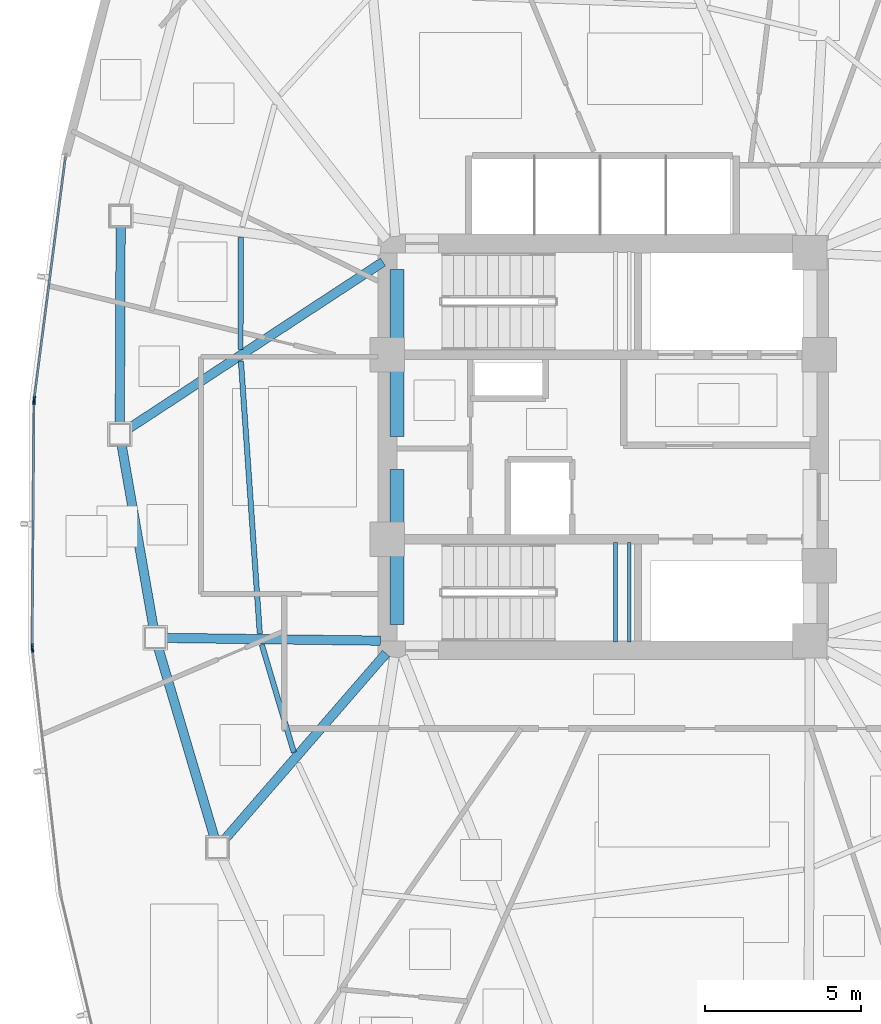
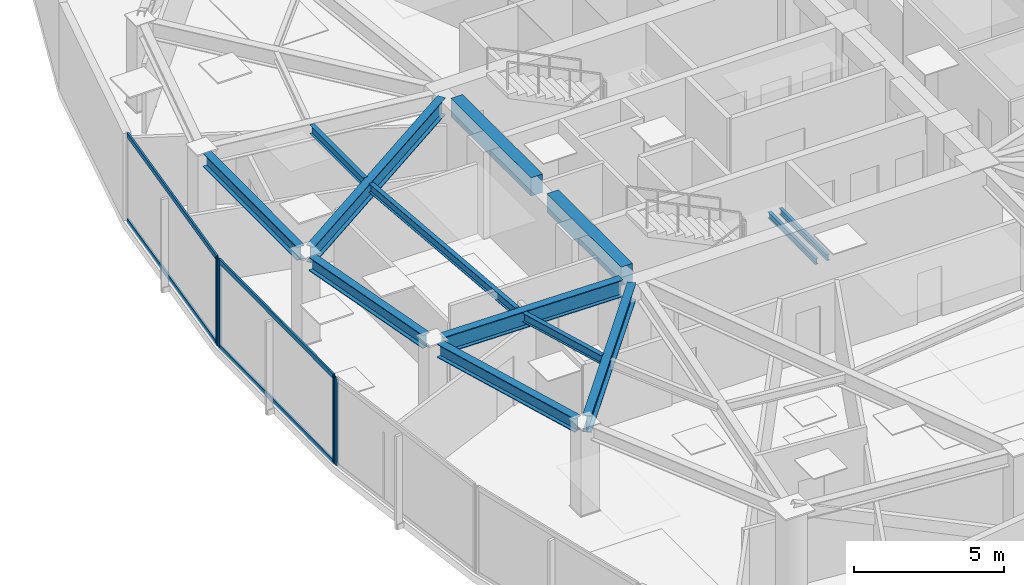
# One storey, part 4 of 17: 13 beams, 8 members, 3 elements without a shape of their own.
"""IFC4 building model written with IfcOpenShell, lengths in metres."""

import ifcopenshell
import ifcopenshell.guid

model = None  # the IFC model being written
_history = None  # IfcOwnerHistory: only IFC2X3 demands one
_inside = {}  # id of a spatial element -> (the spatial element, [elements in it])
_under = {}  # id of a project, library or spatial element -> (it, [spatial elements below it])
_declared = {}  # id of a project -> (the project, [libraries it declares])
_typed = {}  # id of a type object -> (the type object, [elements of that type])
_made_of = {}  # id of a material, layer set ... -> (it, [elements and type objects made of it])


def new_model(schema):
    """Start an empty IFC model of exactly this schema.

    Asked for "IFC4X3", IfcOpenShell would pick the latest addendum, in which some entities
    have other attributes; the version numbers below select the first issue.
    IFC2X3 requires an IfcOwnerHistory on every rooted entity: one is made here for all.
    """
    global model, _history
    if schema == "IFC4X3":
        model = ifcopenshell.file(schema_version=(4, 3, 0, 0))
    else:
        model = ifcopenshell.file(schema=schema)
    _inside.clear()
    _under.clear()
    _declared.clear()
    _typed.clear()
    _made_of.clear()
    _history = None
    if model.schema == "IFC2X3":
        org = make("IfcOrganization", Name="unknown")
        user = make(
            "IfcPersonAndOrganization",
            ThePerson=make("IfcPerson", FamilyName="unknown"),
            TheOrganization=org,
        )
        app = make(
            "IfcApplication",
            ApplicationDeveloper=org,
            Version="unknown",
            ApplicationFullName="unknown",
            ApplicationIdentifier="unknown",
        )
        _history = make(
            "IfcOwnerHistory",
            OwningUser=user,
            OwningApplication=app,
            ChangeAction="ADDED",
            CreationDate=0,
        )
    return model


def make(cls, **values):
    """One entity of the class cls with the attributes given. An attribute that is None is left unset."""
    return model.create_entity(
        cls, **{name: value for name, value in values.items() if value is not None}
    )


def rooted(cls, **values):
    """An entity with a GlobalId (a new one), such as an element, a storey or a relation."""
    return make(cls, GlobalId=ifcopenshell.guid.new(), OwnerHistory=_history, **values)


def si_unit(unit_type, name, prefix=None):
    """IfcSIUnit, for example si_unit("LENGTHUNIT", "METRE", prefix="MILLI")."""
    return make("IfcSIUnit", UnitType=unit_type, Prefix=prefix, Name=name)


def assignment(units):
    """IfcUnitAssignment: the units of a project."""
    return None if units is None else make("IfcUnitAssignment", Units=units)


def point(xyz):
    """IfcCartesianPoint."""
    return None if xyz is None else make("IfcCartesianPoint", Coordinates=xyz)


def direction(xyz):
    """IfcDirection."""
    return None if xyz is None else make("IfcDirection", DirectionRatios=xyz)


def frame(location, z_axis=None, x_axis=None):
    """IfcAxis2Placement3D, a coordinate frame: its origin and axes. An axis left out is left unset."""
    return make(
        "IfcAxis2Placement3D",
        Location=point(location),
        Axis=direction(z_axis),
        RefDirection=direction(x_axis),
    )


def frame_2d(location, x_axis=None):
    """IfcAxis2Placement2D, a coordinate frame in the plane: its origin and x axis."""
    return make(
        "IfcAxis2Placement2D", Location=point(location), RefDirection=direction(x_axis)
    )


def origin():
    """The frame at (0, 0, 0) with its axes left unset."""
    return frame((0.0, 0.0, 0.0))


def origin_2d():
    """The frame at (0, 0) in the plane with its x axis left unset."""
    return frame_2d((0.0, 0.0))


def place(relative_to, where):
    """IfcLocalPlacement: puts the frame where relative to a parent placement (None: the world)."""
    return make(
        "IfcLocalPlacement", PlacementRelTo=relative_to, RelativePlacement=where
    )


def context(
    kind, dimensions, precision=None, world=None, true_north=None, identifier=None
):
    """IfcGeometricRepresentationContext, for example the 3D "Model" context."""
    return make(
        "IfcGeometricRepresentationContext",
        ContextIdentifier=identifier,
        ContextType=kind,
        CoordinateSpaceDimension=dimensions,
        Precision=precision,
        WorldCoordinateSystem=world,
        TrueNorth=true_north,
    )


def subcontext(parent, identifier, kind, view, scale=None):
    """IfcGeometricRepresentationSubContext, for example "Body" below "Model"."""
    return make(
        "IfcGeometricRepresentationSubContext",
        ContextIdentifier=identifier,
        ContextType=kind,
        ParentContext=parent,
        TargetScale=scale,
        TargetView=view,
    )


def project(units=None, contexts=None):
    """IfcProject with its units and contexts."""
    return rooted(
        "IfcProject",
        Name="project",
        RepresentationContexts=contexts,
        UnitsInContext=assignment(units),
    )


def spatial(cls, under=None, at=None, **own):
    """A site, building, storey or space (cls), placed at a placement, below another one or the project."""
    s = rooted(cls, ObjectPlacement=at, **own)
    if under is not None:
        _under.setdefault(under.id(), (under, []))[1].append(s)
    return s


def profile(cls, at=None, kind="AREA", **sizes):
    """A parametric profile (cls). Its sizes go by their IFC names, for example OverallWidth=200.0."""
    return make(cls, ProfileType=kind, Position=at, **sizes)


def rectangle(**sizes):
    """IfcRectangleProfileDef."""
    return profile("IfcRectangleProfileDef", **sizes)


def hollow_rectangle(**sizes):
    """IfcRectangleHollowProfileDef."""
    return profile("IfcRectangleHollowProfileDef", **sizes)


def i_section(**sizes):
    """IfcIShapeProfileDef."""
    return profile("IfcIShapeProfileDef", **sizes)


def extrude(swept, where, along, depth):
    """IfcExtrudedAreaSolid: the profile swept, set in the frame where, extruded along a direction by depth."""
    return make(
        "IfcExtrudedAreaSolid",
        SweptArea=swept,
        Position=where,
        ExtrudedDirection=direction(along),
        Depth=depth,
    )


def shape(context_of_items, identifier, shape_type, items):
    """IfcShapeRepresentation: the items that make up one representation, for example the "Body"."""
    return make(
        "IfcShapeRepresentation",
        ContextOfItems=context_of_items,
        RepresentationIdentifier=identifier,
        RepresentationType=shape_type,
        Items=items,
    )


def source(mapping_origin, context_of_items, identifier, shape_type, items):
    """IfcRepresentationMap: a shape defined once, which mapped items show again and again."""
    return make(
        "IfcRepresentationMap",
        MappingOrigin=mapping_origin,
        MappedRepresentation=shape(context_of_items, identifier, shape_type, items),
    )


def transform(
    local_origin,
    x_axis=None,
    y_axis=None,
    z_axis=None,
    scale=None,
    scale2=None,
    scale3=None,
    uniform=True,
):
    """IfcCartesianTransformationOperator3D, or its non-uniform kind. x_axis, y_axis, z_axis: its Axis1, 2, 3."""
    if uniform:
        return make(
            "IfcCartesianTransformationOperator3D",
            Axis1=direction(x_axis),
            Axis2=direction(y_axis),
            LocalOrigin=point(local_origin),
            Scale=scale,
            Axis3=direction(z_axis),
        )
    return make(
        "IfcCartesianTransformationOperator3DnonUniform",
        Axis1=direction(x_axis),
        Axis2=direction(y_axis),
        LocalOrigin=point(local_origin),
        Scale=scale,
        Axis3=direction(z_axis),
        Scale2=scale2,
        Scale3=scale3,
    )


def mapped(mapping_source, mapping_target):
    """IfcMappedItem: shows the shape of a source again, moved by a transform."""
    return make(
        "IfcMappedItem", MappingSource=mapping_source, MappingTarget=mapping_target
    )


def material(Name=None, Category=None):
    """IfcMaterial."""
    return make("IfcMaterial", Name=Name, Category=Category)


def layer(
    of_material, thickness, ventilated=None, Name=None, Category=None, Priority=None
):
    """IfcMaterialLayer: one layer of a wall or slab, of a material (None: an air gap)."""
    return make(
        "IfcMaterialLayer",
        Material=of_material,
        LayerThickness=thickness,
        IsVentilated=ventilated,
        Name=Name,
        Category=Category,
        Priority=Priority,
    )


def layer_set(layers, Name=None):
    """IfcMaterialLayerSet."""
    return make("IfcMaterialLayerSet", MaterialLayers=layers, LayerSetName=Name)


def material_profile(
    of_material, cross_section, Name=None, Category=None, Priority=None
):
    """IfcMaterialProfile: a cross section and its material."""
    return make(
        "IfcMaterialProfile",
        Name=Name,
        Material=of_material,
        Profile=cross_section,
        Priority=Priority,
        Category=Category,
    )


def profile_set(profiles, Name=None, composite=None):
    """IfcMaterialProfileSet."""
    return make(
        "IfcMaterialProfileSet",
        Name=Name,
        MaterialProfiles=profiles,
        CompositeProfile=composite,
    )


def made_of(thing, what):
    """Note that an element or type object is made of a material, layer set ...; save() writes the relation."""
    if what is not None:
        _made_of.setdefault(what.id(), (what, []))[1].append(thing)
    return thing


def type_object(cls, material=None, **own):
    """A type object (cls), such as IfcWallType, which elements share."""
    return made_of(rooted(cls, **own), material)


def type_shapes(of_type, sources):
    """Give a type object the sources (RepresentationMaps) that its elements show as mapped items."""
    of_type.RepresentationMaps = sources


def element(
    cls,
    number,
    at=None,
    inside=None,
    cuts=None,
    type_object=None,
    material=None,
    context=None,
    identifier="Body",
    shape_type=None,
    held_by="IfcProductDefinitionShape",
    body=None,
    shapes=None,
    **own,
):
    """One element of the class cls, such as IfcWall. Its Tag is "e" and its number.

    at: its placement. inside: the storey or other place that contains it. cuts: it is an
    opening in that element (IfcRelVoidsElement). A single representation is given by context,
    identifier, shape_type and body (its items); several are given by shapes. held_by: the class
    of the entity that holds the representations. save() writes the other relations.
    """
    e = rooted(cls, Tag="e%d" % number, ObjectPlacement=at, **own)
    if body is not None:
        shapes = [shape(context, identifier, shape_type, body)]
    if shapes is not None:
        e.Representation = make(held_by, Representations=shapes)
    if inside is not None:
        _inside.setdefault(inside.id(), (inside, []))[1].append(e)
    if cuts is not None:
        rooted(
            "IfcRelVoidsElement", RelatingBuildingElement=cuts, RelatedOpeningElement=e
        )
    if type_object is not None:
        _typed.setdefault(type_object.id(), (type_object, []))[1].append(e)
    return made_of(e, material)


def aggregate(whole, parts):
    """IfcRelAggregates: a whole, such as a stair, and the parts it consists of."""
    return rooted("IfcRelAggregates", RelatingObject=whole, RelatedObjects=parts)


def save(model, path):
    """Write the relations noted so far, then the file.

    IfcRelAggregates (storeys below a building ...), IfcRelContainedInSpatialStructure (elements
    in a storey), IfcRelDefinesByType, IfcRelAssociatesMaterial and IfcRelDeclares: one each for
    every whole, place, type object, material and project.
    """
    for whole, parts in _under.values():
        aggregate(whole, parts)
    for where, things in _inside.values():
        rooted(
            "IfcRelContainedInSpatialStructure",
            RelatedElements=things,
            RelatingStructure=where,
        )
    for kind, things in _typed.values():
        rooted("IfcRelDefinesByType", RelatedObjects=things, RelatingType=kind)
    for what, things in _made_of.values():
        rooted("IfcRelAssociatesMaterial", RelatedObjects=things, RelatingMaterial=what)
    for by, libraries in _declared.values():
        rooted("IfcRelDeclares", RelatingContext=by, RelatedDefinitions=libraries)
    model.write(path)


model = new_model("IFC4")

# Units and contexts
model_context = context("Model", 3, precision=1e-05, world=origin(), true_north=direction((0.0, 1.0)))
body_context = subcontext(model_context, "Body", "Model", "MODEL_VIEW")
ifc_project = project(units=[si_unit("LENGTHUNIT", "METRE"), si_unit("AREAUNIT", "SQUARE_METRE"), si_unit("VOLUMEUNIT", "CUBIC_METRE"), si_unit("PLANEANGLEUNIT", "RADIAN"), si_unit("MASSUNIT", "GRAM", prefix="KILO")], contexts=[model_context])

# Site, building, storey
site_placement = place(None, origin())
site = spatial("IfcSite", under=ifc_project, at=site_placement, CompositionType="ELEMENT")
building_placement = place(site_placement, origin())
building = spatial("IfcBuilding", under=site, at=building_placement, Name="Tavelor Broadcast Tower", CompositionType="ELEMENT")
storey_placement = place(building_placement, frame((0.0, 0.0, 142.550048828125)))
storey = spatial("IfcBuildingStorey", under=building, at=storey_placement, Name="L33", CompositionType="ELEMENT", Elevation=142.550048828125)

# Beams
ifc_material_1 = material(Name="Concrete C40/50", Category="concrete")
ifc_material_profile_1 = material_profile(ifc_material_1, rectangle(XDim=0.449951171875, YDim=0.75, at=origin_2d()), Name="RC 450x750")
ifc_profile_set_1 = profile_set([ifc_material_profile_1], Name="Concrete C40/50")
beam_type_1 = type_object("IfcBeamType", Name="Basement Core Trim Beam 450x750", PredefinedType="BEAM", material=ifc_profile_set_1)
beam_1_placement = place(storey_placement, frame((43.39990234375, 45.327880859375, 3.175048828125), z_axis=(0.0, 1.0, 0.0), x_axis=(-1.0, 0.0, 0.0)))
element("IfcBeam", 1, at=beam_1_placement, inside=storey, type_object=beam_type_1, Name="L33 Core West-N Tie Girder", PredefinedType="BEAM", context=body_context, shape_type="SweptSolid", body=[
    extrude(rectangle(XDim=0.449951171875, YDim=0.75, at=origin_2d()), origin(), (0.0, 0.0, 1.0), 5.34423828125),
])
beam_2_placement = place(storey_placement, frame((43.39990234375, 39.327880859375, 3.175048828125), z_axis=(0.0, 1.0, 0.0), x_axis=(-1.0, 0.0, 0.0)))
element("IfcBeam", 2, at=beam_2_placement, inside=storey, type_object=beam_type_1, Name="L33 Core West-S Tie Girder", PredefinedType="BEAM", context=body_context, shape_type="SweptSolid", body=[
    extrude(rectangle(XDim=0.449951171875, YDim=0.75, at=origin_2d()), origin(), (0.0, 0.0, 1.0), 4.944091796875),
])
ifc_material_2 = material(Name="Steel S355", Category="steel")
ifc_material_profile_2 = material_profile(ifc_material_2, i_section(OverallWidth=0.169921875, OverallDepth=0.360107421875, WebThickness=0.008056640625, FlangeThickness=0.0126953125, at=origin_2d()), Name="IPE 360")
ifc_profile_set_2 = profile_set([ifc_material_profile_2], Name="Steel S355")
beam_type_2 = type_object("IfcBeamType", Name="Composite Floor Joist T3 IPE 360", PredefinedType="JOIST", material=ifc_profile_set_2)
beam_3_placement = place(storey_placement, frame((38.413818359375, 51.685302734375, 3.369873046875), z_axis=(-0.002320654457, -0.999997307278, 0.0), x_axis=(0.999997307278, -0.002320654457, 0.0)))
element("IfcBeam", 3, at=beam_3_placement, inside=storey, type_object=beam_type_2, Name="L33 Secondary Composite Floor Joist 03", PredefinedType="JOIST", context=body_context, shape_type="SweptSolid", body=[
    extrude(i_section(OverallWidth=0.169921875, OverallDepth=0.360107421875, WebThickness=0.008056640625, FlangeThickness=0.0126953125, at=origin_2d()), origin(), (0.0, 0.0, 1.0), 3.576904296875),
])
beam_4_placement = place(storey_placement, frame((38.41748046875, 47.74658203125, 3.369873046875), z_axis=(0.069100565304, -0.997609699168, 0.0), x_axis=(0.997609699168, 0.069100565304, 0.0)))
element("IfcBeam", 4, at=beam_4_placement, inside=storey, type_object=beam_type_2, Name="L33 Secondary Composite Floor Joist 04", PredefinedType="JOIST", context=body_context, shape_type="SweptSolid", body=[
    extrude(i_section(OverallWidth=0.169921875, OverallDepth=0.360107421875, WebThickness=0.008056640625, FlangeThickness=0.0126953125, at=origin_2d()), origin(), (0.0, 0.0, 1.0), 8.730224609375),
])
beam_5_placement = place(storey_placement, frame((39.084716796875, 38.68310546875, 3.369873046875), z_axis=(0.285203072184, -0.958467113477, 0.0), x_axis=(0.958467113477, 0.285203072184, 0.0)))
element("IfcBeam", 5, at=beam_5_placement, inside=storey, type_object=beam_type_2, Name="L33 Secondary Composite Floor Joist 05", PredefinedType="JOIST", context=body_context, shape_type="SweptSolid", body=[
    extrude(i_section(OverallWidth=0.169921875, OverallDepth=0.360107421875, WebThickness=0.008056640625, FlangeThickness=0.0126953125, at=origin_2d()), origin(), (0.0, 0.0, 1.0), 3.593505859375),
])
ifc_material_profile_3 = material_profile(ifc_material_2, i_section(OverallWidth=0.300048828125, OverallDepth=0.550048828125, WebThickness=0.014892578125, FlangeThickness=0.029052734375, at=origin_2d()), Name="HEB 550")
ifc_profile_set_3 = profile_set([ifc_material_profile_3], Name="Steel S355")
beam_type_3 = type_object("IfcBeamType", Name="Perimeter Spandrel Beam T3 HEB 550", PredefinedType="SPANDREL", material=ifc_profile_set_3)
beam_6_placement = place(storey_placement, frame((34.57373046875, 52.043212890625, 3.27490234375), z_axis=(-0.00410245019, -0.999991584916, 0.0), x_axis=(0.999991584916, -0.00410245019, 0.0)))
element("IfcBeam", 6, at=beam_6_placement, inside=storey, type_object=beam_type_3, Name="L33 Framed-Tube Ring Spandrel 03", PredefinedType="SPANDREL", context=body_context, shape_type="SweptSolid", body=[
    extrude(i_section(OverallWidth=0.300048828125, OverallDepth=0.550048828125, WebThickness=0.014892578125, FlangeThickness=0.029052734375, at=origin_2d()), origin(), (0.0, 0.0, 1.0), 6.30810546875),
])
beam_7_placement = place(storey_placement, frame((34.604248046875, 45.068115234375, 3.27490234375), z_axis=(0.17197754126, -0.985100870623, 0.0), x_axis=(0.985100870623, 0.17197754126, 0.0)))
element("IfcBeam", 7, at=beam_7_placement, inside=storey, type_object=beam_type_3, Name="L33 Framed-Tube Ring Spandrel 04", PredefinedType="SPANDREL", context=body_context, shape_type="SweptSolid", body=[
    extrude(i_section(OverallWidth=0.300048828125, OverallDepth=0.550048828125, WebThickness=0.014892578125, FlangeThickness=0.029052734375, at=origin_2d()), origin(), (0.0, 0.0, 1.0), 5.925537109375),
])
beam_8_placement = place(storey_placement, frame((35.7763671875, 38.57763671875, 3.27490234375), z_axis=(0.283996338182, -0.958825364652, 0.0), x_axis=(0.958825364652, 0.283996338182, 0.0)))
element("IfcBeam", 8, at=beam_8_placement, inside=storey, type_object=beam_type_3, Name="L33 Framed-Tube Ring Spandrel 05", PredefinedType="SPANDREL", context=body_context, shape_type="SweptSolid", body=[
    extrude(i_section(OverallWidth=0.300048828125, OverallDepth=0.550048828125, WebThickness=0.014892578125, FlangeThickness=0.029052734375, at=origin_2d()), origin(), (0.0, 0.0, 1.0), 6.325439453125),
])
ifc_material_profile_4 = material_profile(ifc_material_2, i_section(OverallWidth=0.300048828125, OverallDepth=0.68994140625, WebThickness=0.014404296875, FlangeThickness=0.027099609375, at=origin_2d()), Name="HEA 700")
ifc_profile_set_4 = profile_set([ifc_material_profile_4], Name="Steel S355")
beam_type_4 = type_object("IfcBeamType", Name="Radial Floor Girder T3 HEA 700", PredefinedType="BEAM", material=ifc_profile_set_4)
beam_9_placement = place(storey_placement, frame((42.95849609375, 50.91064453125, 3.204833984375), z_axis=(-0.836455571638, -0.548034740391, 0.0), x_axis=(0.548034740391, -0.836455571638, 0.0)))
element("IfcBeam", 9, at=beam_9_placement, inside=storey, type_object=beam_type_4, Name="L33 Radial Primary Floor Girder 04", PredefinedType="BEAM", context=body_context, shape_type="SweptSolid", body=[
    extrude(i_section(OverallWidth=0.300048828125, OverallDepth=0.68994140625, WebThickness=0.014404296875, FlangeThickness=0.027099609375, at=origin_2d()), origin(), (0.0, 0.0, 1.0), 9.720947265625),
])
beam_10_placement = place(storey_placement, frame((42.8720703125, 38.806884765625, 3.204833984375), z_axis=(-0.999916440376, 0.012927190963, 0.0), x_axis=(-0.012927190963, -0.999916440376, 0.0)))
element("IfcBeam", 10, at=beam_10_placement, inside=storey, type_object=beam_type_4, Name="L33 Radial Primary Floor Girder 05", PredefinedType="BEAM", context=body_context, shape_type="SweptSolid", body=[
    extrude(i_section(OverallWidth=0.300048828125, OverallDepth=0.68994140625, WebThickness=0.014404296875, FlangeThickness=0.027099609375, at=origin_2d()), origin(), (0.0, 0.0, 1.0), 6.85546875),
])
beam_11_placement = place(storey_placement, frame((43.05419921875, 38.401123046875, 3.204833984375), z_axis=(-0.655166261537, -0.755484725024, 0.0), x_axis=(0.755484725024, -0.655166261537, 0.0)))
element("IfcBeam", 11, at=beam_11_placement, inside=storey, type_object=beam_type_4, Name="L33 Radial Primary Floor Girder 06", PredefinedType="BEAM", context=body_context, shape_type="SweptSolid", body=[
    extrude(i_section(OverallWidth=0.300048828125, OverallDepth=0.68994140625, WebThickness=0.014404296875, FlangeThickness=0.027099609375, at=origin_2d()), origin(), (0.0, 0.0, 1.0), 7.885009765625),
])
ifc_material_profile_5 = material_profile(ifc_material_2, i_section(OverallWidth=0.1201171875, OverallDepth=0.239990234375, WebThickness=0.006103515625, FlangeThickness=0.009765625, at=origin_2d()), Name="IPE 240")
ifc_profile_set_5 = profile_set([ifc_material_profile_5], Name="Steel S355")
beam_type_5 = type_object("IfcBeamType", Name="Stairwell Landing Support Trimmer Beam IPE240", PredefinedType="BEAM", material=ifc_profile_set_5)
for number, where, z_axis, x_axis, name in (
    (12, (50.385009765625, 38.760009765625, 1.60986328125), (0.0, 1.0, 0.0), (-1.0, 0.0, 0.0), "L33 Stair Landing Support Beam 313"),
    (13, (50.824951171875, 38.760009765625, 1.60986328125), (0.0, 1.0, 0.0), (-1.0, 0.0, 0.0), "L33 Stair Landing Support Beam 314"),
):
    element("IfcBeam", number, at=place(storey_placement, frame(where, z_axis=z_axis, x_axis=x_axis)), inside=storey, type_object=beam_type_5, Name=name, PredefinedType="BEAM", context=body_context, shape_type="SweptSolid", body=[
        extrude(i_section(OverallWidth=0.1201171875, OverallDepth=0.239990234375, WebThickness=0.006103515625, FlangeThickness=0.009765625, at=origin_2d()), origin(), (0.0, 0.0, 1.0), 3.179931640625),
    ])

# Curtain wall, member
ifc_material_3 = material(Name="Architectural Anodized Aluminium", Category="aluminium")
ifc_layer = layer(ifc_material_3, 0.18994140625)
ifc_layer_set = layer_set([ifc_layer], Name="Architectural Anodized Aluminium")
curtain_wall_type = type_object("IfcCurtainWallType", Name="Tower Mid-Zone Acoustic Curtain Wall CW03", PredefinedType="NOTDEFINED", material=ifc_layer_set)
curtain_wall_1_placement = place(storey_placement, origin())
curtain_wall_1 = element("IfcCurtainWall", 14, at=curtain_wall_1_placement, inside=storey, type_object=curtain_wall_type, Name="L33 Curtain Wall CW03 Run 337", PredefinedType="NOTDEFINED")
ifc_material_profile_6 = material_profile(ifc_material_3, hollow_rectangle(XDim=0.068115234375, YDim=0.18994140625, WallThickness=0.02197265625, at=origin_2d()), Name="RHS 68x190x22")
ifc_profile_set_6 = profile_set([ifc_material_profile_6], Name="Architectural Anodized Aluminium")
member_type_1 = type_object("IfcMemberType", Name="CW03 Extruded Aluminium Mullion 68x190", PredefinedType="MULLION", material=ifc_profile_set_6)
shared_shape_1 = source(origin(), body_context, "Body", "SweptSolid", [
    extrude(hollow_rectangle(XDim=0.068115234375, YDim=0.18994140625, WallThickness=0.02197265625, at=origin_2d()), origin(), (0.0, 0.0, 1.0), 3.550048828125),
])
type_shapes(member_type_1, [shared_shape_1])
member_1_placement = place(storey_placement, frame((31.813720703125, 46.5341796875, 0.0), z_axis=(0.0, 0.0, 1.0), x_axis=(0.991726345724, -0.128369993365, 0.0)))
member_1 = element("IfcMember", 15, at=member_1_placement, type_object=member_type_1, Name="CW03 mullion 2", PredefinedType="MULLION", context=body_context, shape_type="MappedRepresentation", body=[
    mapped(shared_shape_1, transform((0.0, 0.0, 0.0), scale=1.0)),
])

# Curtain wall, members
curtain_wall_2_placement = place(storey_placement, origin())
curtain_wall_2 = element("IfcCurtainWall", 16, at=curtain_wall_2_placement, inside=storey, type_object=curtain_wall_type, Name="L33 Curtain Wall CW03 Run 338", PredefinedType="NOTDEFINED")
member_2_placement = place(storey_placement, frame((31.80712890625, 46.436767578125, 0.0), z_axis=(0.0, 0.0, 1.0), x_axis=(0.999972577437, -0.007405698761, 0.0)))
member_2 = element("IfcMember", 17, at=member_2_placement, type_object=member_type_1, Name="CW03 mullion 1", PredefinedType="MULLION", context=body_context, shape_type="MappedRepresentation", body=[
    mapped(shared_shape_1, transform((0.0, 0.0, 0.0), scale=1.0)),
])
member_3_placement = place(storey_placement, frame((31.749267578125, 38.632568359375, 0.0), z_axis=(0.0, 0.0, 1.0), x_axis=(0.999972577437, -0.007405698761, 0.0)))
member_3 = element("IfcMember", 18, at=member_3_placement, type_object=member_type_1, Name="CW03 mullion 2", PredefinedType="MULLION", context=body_context, shape_type="MappedRepresentation", body=[
    mapped(shared_shape_1, transform((0.0, 0.0, 0.0), scale=1.0)),
])

# Curtain wall, member
curtain_wall_3_placement = place(storey_placement, origin())
curtain_wall_3 = element("IfcCurtainWall", 19, at=curtain_wall_3_placement, inside=storey, type_object=curtain_wall_type, Name="L33 Curtain Wall CW03 Run 339", PredefinedType="NOTDEFINED")
member_4_placement = place(storey_placement, frame((31.75439453125, 38.534912109375, 0.0), z_axis=(0.0, 0.0, 1.0), x_axis=(0.993520670632, 0.11365155972, 0.0)))
member_4 = element("IfcMember", 20, at=member_4_placement, type_object=member_type_1, Name="CW03 mullion 1", PredefinedType="MULLION", context=body_context, shape_type="MappedRepresentation", body=[
    mapped(shared_shape_1, transform((0.0, 0.0, 0.0), scale=1.0)),
])
aggregate(curtain_wall_3, [member_4])

# Member
ifc_material_profile_7 = material_profile(ifc_material_3, hollow_rectangle(XDim=0.068115234375, YDim=0.18994140625, WallThickness=0.02197265625, at=origin_2d()), Name="RHS 68x190x22")
ifc_profile_set_7 = profile_set([ifc_material_profile_7], Name="Architectural Anodized Aluminium")
member_type_2 = type_object("IfcMemberType", Name="CW03 Extruded Aluminium Transom 68x190", PredefinedType="USERDEFINED", material=ifc_profile_set_7)
shared_shape_2 = source(origin(), body_context, "Body", "SweptSolid", [
    extrude(hollow_rectangle(XDim=0.068115234375, YDim=0.18994140625, WallThickness=0.02197265625, at=origin_2d()), origin(), (0.0, 0.0, 1.0), 7.75146484375),
])
member_5_placement = place(storey_placement, frame((32.813232421875, 54.255126953125, 0.033935546875), z_axis=(-0.128379070596, -0.991725170717, 0.0), x_axis=(0.991725170717, -0.128379070596, 0.0)))
member_5 = element("IfcMember", 21, at=member_5_placement, type_object=member_type_2, Name="CW03 transom 1.1", ObjectType="TRANSOM", PredefinedType="USERDEFINED", context=body_context, shape_type="MappedRepresentation", body=[
    mapped(shared_shape_2, transform((0.0, 0.0, 0.0), scale=1.0)),
])

member_6_placement = place(storey_placement, frame((32.813232421875, 54.255126953125, 3.515869140625), z_axis=(-0.128379070596, -0.991725170717, 0.0), x_axis=(0.991725170717, -0.128379070596, 0.0)))
member_6 = element("IfcMember", 22, at=member_6_placement, type_object=member_type_2, Name="CW03 transom 1.2", ObjectType="TRANSOM", PredefinedType="USERDEFINED", context=body_context, shape_type="MappedRepresentation", body=[
    mapped(shared_shape_2, transform((0.0, 0.0, 0.0), scale=1.0)),
])

aggregate(curtain_wall_1, [member_1, member_5, member_6])

shared_shape_3 = source(origin(), body_context, "Body", "SweptSolid", [
    extrude(hollow_rectangle(XDim=0.068115234375, YDim=0.18994140625, WallThickness=0.02197265625, at=origin_2d()), origin(), (0.0, 0.0, 1.0), 7.736328125),
])
type_shapes(member_type_2, [shared_shape_2, shared_shape_3])
member_7_placement = place(storey_placement, frame((31.806884765625, 46.402587890625, 0.033935546875), z_axis=(-0.007416086648, -0.999972500451, 0.0), x_axis=(0.999972500451, -0.007416086648, 0.0)))
member_7 = element("IfcMember", 23, at=member_7_placement, type_object=member_type_2, Name="CW03 transom 1.1", ObjectType="TRANSOM", PredefinedType="USERDEFINED", context=body_context, shape_type="MappedRepresentation", body=[
    mapped(shared_shape_3, transform((0.0, 0.0, 0.0), scale=1.0)),
])

member_8_placement = place(storey_placement, frame((31.806884765625, 46.402587890625, 3.515869140625), z_axis=(-0.007416086648, -0.999972500451, 0.0), x_axis=(0.999972500451, -0.007416086648, 0.0)))
member_8 = element("IfcMember", 24, at=member_8_placement, type_object=member_type_2, Name="CW03 transom 1.2", ObjectType="TRANSOM", PredefinedType="USERDEFINED", context=body_context, shape_type="MappedRepresentation", body=[
    mapped(shared_shape_3, transform((0.0, 0.0, 0.0), scale=1.0)),
])

aggregate(curtain_wall_2, [member_2, member_3, member_7, member_8])

save(model, "model.ifc")
